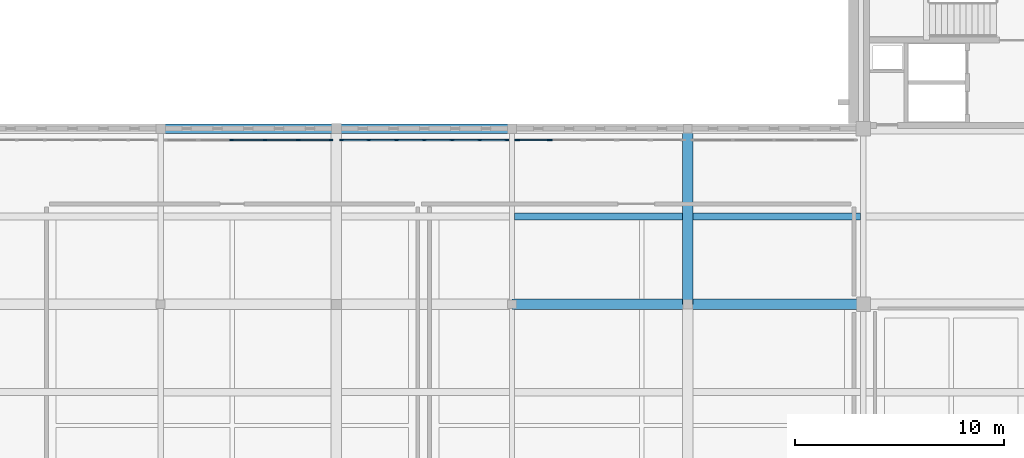
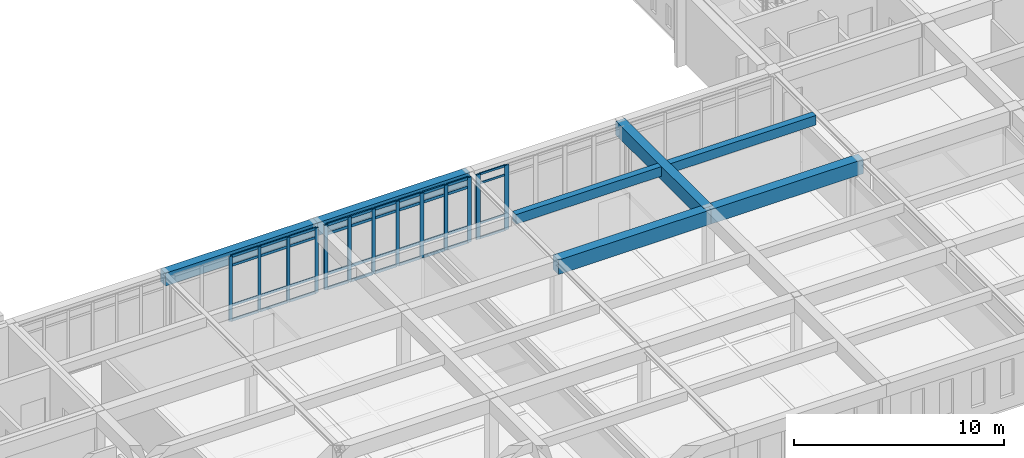
# One storey, part 18 of 110: 53 members, 7 beams, 3 elements without a shape of their own.
"""IFC4 building model written with IfcOpenShell, lengths in metres."""

from ifc_helpers import new_model, si_unit, direction, frame, origin, origin_2d, place, context, subcontext, project, spatial, rectangle, extrude, material, layer, layer_set, material_profile, profile_set, type_object, element, aggregate, save


model = new_model("IFC4")

# Units and contexts
model_context = context("Model", 3, precision=1e-05, world=origin(), true_north=direction((0.0, 1.0)))
body_context = subcontext(model_context, "Body", "Model", "MODEL_VIEW")
ifc_project = project(units=[si_unit("LENGTHUNIT", "METRE"), si_unit("AREAUNIT", "SQUARE_METRE"), si_unit("VOLUMEUNIT", "CUBIC_METRE"), si_unit("PLANEANGLEUNIT", "RADIAN"), si_unit("MASSUNIT", "GRAM", prefix="KILO")], contexts=[model_context])

# Site, building, storey
site_placement = place(None, origin())
site = spatial("IfcSite", under=ifc_project, at=site_placement, CompositionType="ELEMENT")
building_placement = place(site_placement, origin())
building = spatial("IfcBuilding", under=site, at=building_placement, Name="Kveldsbrygga Polytechnic", CompositionType="ELEMENT")
storey_placement = place(building_placement, frame((0.0, 0.0, 9.860107421875)))
storey = spatial("IfcBuildingStorey", under=building, at=storey_placement, Name="L02", CompositionType="ELEMENT", Elevation=9.860107421875)

# Beams
ifc_material_1 = material(Name="Concrete C35/45", Category="concrete")
ifc_material_profile_1 = material_profile(ifc_material_1, rectangle(XDim=0.449951171875, YDim=0.75, at=origin_2d()), Name="RC 450x750")
ifc_profile_set_1 = profile_set([ifc_material_profile_1], Name="Concrete C35/45")
beam_type_1 = type_object("IfcBeamType", Name="BM-RC-450x750", PredefinedType="BEAM", material=ifc_profile_set_1)
beam_1_placement = place(storey_placement, frame((92.39990234375, 25.199951171875, 3.385009765625), z_axis=(1.0, 0.0, 0.0), x_axis=(0.0, 1.0, 0.0)))
element("IfcBeam", 1, at=beam_1_placement, inside=storey, type_object=beam_type_1, Name="Primary Beam BMX-L02-11to12-03", PredefinedType="BEAM", context=body_context, shape_type="SweptSolid", body=[
    extrude(rectangle(XDim=0.449951171875, YDim=0.75, at=origin_2d()), origin(), (0.0, 0.0, 1.0), 8.400146484375),
])
beam_2_placement = place(storey_placement, frame((100.800048828125, 25.199951171875, 3.385009765625), z_axis=(1.0, 0.0, 0.0), x_axis=(0.0, 1.0, 0.0)))
element("IfcBeam", 2, at=beam_2_placement, inside=storey, type_object=beam_type_1, Name="Primary Beam BMX-L02-12to13-03", PredefinedType="BEAM", context=body_context, shape_type="SweptSolid", body=[
    extrude(rectangle(XDim=0.449951171875, YDim=0.75, at=origin_2d()), origin(), (0.0, 0.0, 1.0), 8.39990234375),
])
ifc_material_profile_2 = material_profile(ifc_material_1, rectangle(XDim=0.5, YDim=0.800048828125, at=origin_2d()), Name="RC 500x800")
ifc_profile_set_2 = profile_set([ifc_material_profile_2], Name="Concrete C35/45")
beam_type_2 = type_object("IfcBeamType", Name="BM-RC-500x800", PredefinedType="BEAM", material=ifc_profile_set_2)
beam_3_placement = place(storey_placement, frame((117.60009765625, 16.800048828125, 3.35986328125), z_axis=(0.0, 1.0, 0.0), x_axis=(-1.0, 0.0, 0.0)))
element("IfcBeam", 3, at=beam_3_placement, inside=storey, type_object=beam_type_2, Name="Primary Beam BMY-L02-14-02to03", PredefinedType="BEAM", context=body_context, shape_type="SweptSolid", body=[
    extrude(rectangle(XDim=0.5, YDim=0.800048828125, at=origin_2d()), origin(), (0.0, 0.0, 1.0), 8.39990234375),
])
ifc_material_profile_3 = material_profile(ifc_material_1, rectangle(XDim=0.52001953125, YDim=0.840087890625, at=origin_2d()), Name="RC 520x840")
ifc_profile_set_3 = profile_set([ifc_material_profile_3], Name="Concrete C35/45")
beam_type_3 = type_object("IfcBeamType", Name="BM-RC-520x840", PredefinedType="BEAM", material=ifc_profile_set_3)
beam_4_placement = place(storey_placement, frame((109.199951171875, 16.800048828125, 3.33984375), z_axis=(1.0, 0.0, 0.0), x_axis=(0.0, 1.0, 0.0)))
element("IfcBeam", 4, at=beam_4_placement, inside=storey, type_object=beam_type_3, Name="Primary Beam BMX-L02-13to14-02", PredefinedType="BEAM", context=body_context, shape_type="SweptSolid", body=[
    extrude(rectangle(XDim=0.52001953125, YDim=0.840087890625, at=origin_2d()), origin(), (0.0, 0.0, 1.0), 8.400146484375),
])
beam_5_placement = place(storey_placement, frame((117.60009765625, 16.800048828125, 3.33984375), z_axis=(1.0, 0.0, 0.0), x_axis=(0.0, 1.0, 0.0)))
element("IfcBeam", 5, at=beam_5_placement, inside=storey, type_object=beam_type_3, Name="Primary Beam BMX-L02-14to15-02", PredefinedType="BEAM", context=body_context, shape_type="SweptSolid", body=[
    extrude(rectangle(XDim=0.52001953125, YDim=0.840087890625, at=origin_2d()), origin(), (0.0, 0.0, 1.0), 8.39990234375),
])

# Curtain wall, members
ifc_material_2 = material(Name="Anodised aluminium AW-6060", Category="aluminium")
ifc_layer_1 = layer(ifc_material_2, 0.199951171875)
ifc_layer_set_1 = layer_set([ifc_layer_1], Name="Anodised aluminium AW-6060")
curtain_wall_type_1 = type_object("IfcCurtainWallType", Name="CW-CONC-B", PredefinedType="USERDEFINED", material=ifc_layer_set_1)
curtain_wall_1_placement = place(storey_placement, origin())
curtain_wall_1 = element("IfcCurtainWall", 6, at=curtain_wall_1_placement, inside=storey, type_object=curtain_wall_type_1, Name="Curtain Wall CW-L02-X-11-03", ObjectType="UNITISED CURTAIN WALL", PredefinedType="USERDEFINED")
ifc_material_profile_4 = material_profile(ifc_material_2, rectangle(XDim=0.06005859375, YDim=0.179931640625, at=origin_2d()), Name="ALU 60x180")
ifc_profile_set_4 = profile_set([ifc_material_profile_4], Name="Anodised aluminium AW-6060")
member_type_1 = type_object("IfcMemberType", Name="CW-MUL-180", PredefinedType="MULLION", material=ifc_profile_set_4)
member_1_placement = place(storey_placement, frame((95.7958984375, 24.64990234375, 0.0), z_axis=(0.0, 0.0, 1.0), x_axis=(0.0, 1.0, 0.0)))
member_1 = element("IfcMember", 7, at=member_1_placement, type_object=member_type_1, Name="CW-02 mullion 3", PredefinedType="MULLION", context=body_context, shape_type="SweptSolid", body=[
    extrude(rectangle(XDim=0.06005859375, YDim=0.179931640625, at=origin_2d()), origin(), (0.0, 0.0, 1.0), 3.77978515625),
])
member_2_placement = place(storey_placement, frame((97.388916015625, 24.64990234375, 0.0), z_axis=(0.0, 0.0, 1.0), x_axis=(0.0, 1.0, 0.0)))
member_2 = element("IfcMember", 8, at=member_2_placement, type_object=member_type_1, Name="CW-02 mullion 4", PredefinedType="MULLION", context=body_context, shape_type="SweptSolid", body=[
    extrude(rectangle(XDim=0.06005859375, YDim=0.179931640625, at=origin_2d()), origin(), (0.0, 0.0, 1.0), 3.77978515625),
])
member_3_placement = place(storey_placement, frame((98.98193359375, 24.64990234375, 0.0), z_axis=(0.0, 0.0, 1.0), x_axis=(0.0, 1.0, 0.0)))
member_3 = element("IfcMember", 9, at=member_3_placement, type_object=member_type_1, Name="CW-02 mullion 5", PredefinedType="MULLION", context=body_context, shape_type="SweptSolid", body=[
    extrude(rectangle(XDim=0.06005859375, YDim=0.179931640625, at=origin_2d()), origin(), (0.0, 0.0, 1.0), 3.77978515625),
])
member_4_placement = place(storey_placement, frame((100.544921875, 24.64990234375, 0.0), z_axis=(0.0, 0.0, 1.0), x_axis=(0.0, 1.0, 0.0)))
member_4 = element("IfcMember", 10, at=member_4_placement, type_object=member_type_1, Name="CW-02 mullion 6", PredefinedType="MULLION", context=body_context, shape_type="SweptSolid", body=[
    extrude(rectangle(XDim=0.06005859375, YDim=0.179931640625, at=origin_2d()), origin(), (0.0, 0.0, 1.0), 3.77978515625),
])

ifc_layer_2 = layer(ifc_material_2, 0.159912109375)
ifc_layer_set_2 = layer_set([ifc_layer_2], Name="Anodised aluminium AW-6060")
curtain_wall_type_2 = type_object("IfcCurtainWallType", Name="CW-CLER-C", PredefinedType="USERDEFINED", material=ifc_layer_set_2)
curtain_wall_2_placement = place(storey_placement, origin())
curtain_wall_2 = element("IfcCurtainWall", 11, at=curtain_wall_2_placement, inside=storey, type_object=curtain_wall_type_2, Name="Curtain Wall CW-L02-X-12-03", ObjectType="STICK CURTAIN WALL", PredefinedType="USERDEFINED")
ifc_material_profile_5 = material_profile(ifc_material_2, rectangle(XDim=0.074951171875, YDim=0.199951171875, at=origin_2d()), Name="ALU 75x200")
ifc_profile_set_5 = profile_set([ifc_material_profile_5], Name="Anodised aluminium AW-6060")
member_type_2 = type_object("IfcMemberType", Name="CW-MUL-200", PredefinedType="MULLION", material=ifc_profile_set_5)
member_5_placement = place(storey_placement, frame((101.0625, 24.64990234375, 0.0), z_axis=(0.0, 0.0, 1.0), x_axis=(0.0, 1.0, 0.0)))
member_5 = element("IfcMember", 12, at=member_5_placement, type_object=member_type_2, Name="CW-03 mullion 1", PredefinedType="MULLION", context=body_context, shape_type="SweptSolid", body=[
    extrude(rectangle(XDim=0.074951171875, YDim=0.199951171875, at=origin_2d()), origin(), (0.0, 0.0, 1.0), 3.77978515625),
])
member_6_placement = place(storey_placement, frame((102.3525390625, 24.64990234375, 0.0), z_axis=(0.0, 0.0, 1.0), x_axis=(0.0, 1.0, 0.0)))
member_6 = element("IfcMember", 13, at=member_6_placement, type_object=member_type_2, Name="CW-03 mullion 2", PredefinedType="MULLION", context=body_context, shape_type="SweptSolid", body=[
    extrude(rectangle(XDim=0.074951171875, YDim=0.199951171875, at=origin_2d()), origin(), (0.0, 0.0, 1.0), 3.77978515625),
])
member_7_placement = place(storey_placement, frame((103.679931640625, 24.64990234375, 0.0), z_axis=(0.0, 0.0, 1.0), x_axis=(0.0, 1.0, 0.0)))
member_7 = element("IfcMember", 14, at=member_7_placement, type_object=member_type_2, Name="CW-03 mullion 3", PredefinedType="MULLION", context=body_context, shape_type="SweptSolid", body=[
    extrude(rectangle(XDim=0.074951171875, YDim=0.199951171875, at=origin_2d()), origin(), (0.0, 0.0, 1.0), 3.77978515625),
])
member_8_placement = place(storey_placement, frame((105.007568359375, 24.64990234375, 0.0), z_axis=(0.0, 0.0, 1.0), x_axis=(0.0, 1.0, 0.0)))
member_8 = element("IfcMember", 15, at=member_8_placement, type_object=member_type_2, Name="CW-03 mullion 4", PredefinedType="MULLION", context=body_context, shape_type="SweptSolid", body=[
    extrude(rectangle(XDim=0.074951171875, YDim=0.199951171875, at=origin_2d()), origin(), (0.0, 0.0, 1.0), 3.77978515625),
])
member_9_placement = place(storey_placement, frame((106.3349609375, 24.64990234375, 0.0), z_axis=(0.0, 0.0, 1.0), x_axis=(0.0, 1.0, 0.0)))
member_9 = element("IfcMember", 16, at=member_9_placement, type_object=member_type_2, Name="CW-03 mullion 5", PredefinedType="MULLION", context=body_context, shape_type="SweptSolid", body=[
    extrude(rectangle(XDim=0.074951171875, YDim=0.199951171875, at=origin_2d()), origin(), (0.0, 0.0, 1.0), 3.77978515625),
])
member_10_placement = place(storey_placement, frame((107.66259765625, 24.64990234375, 0.0), z_axis=(0.0, 0.0, 1.0), x_axis=(0.0, 1.0, 0.0)))
member_10 = element("IfcMember", 17, at=member_10_placement, type_object=member_type_2, Name="CW-03 mullion 6", PredefinedType="MULLION", context=body_context, shape_type="SweptSolid", body=[
    extrude(rectangle(XDim=0.074951171875, YDim=0.199951171875, at=origin_2d()), origin(), (0.0, 0.0, 1.0), 3.77978515625),
])
member_11_placement = place(storey_placement, frame((108.952392578125, 24.64990234375, 0.0), z_axis=(0.0, 0.0, 1.0), x_axis=(0.0, 1.0, 0.0)))
member_11 = element("IfcMember", 18, at=member_11_placement, type_object=member_type_2, Name="CW-03 mullion 7", PredefinedType="MULLION", context=body_context, shape_type="SweptSolid", body=[
    extrude(rectangle(XDim=0.074951171875, YDim=0.199951171875, at=origin_2d()), origin(), (0.0, 0.0, 1.0), 3.77978515625),
])

ifc_layer_3 = layer(ifc_material_2, 0.179931640625)
ifc_layer_set_3 = layer_set([ifc_layer_3], Name="Anodised aluminium AW-6060")
curtain_wall_type_3 = type_object("IfcCurtainWallType", Name="CW-LANC-D", PredefinedType="USERDEFINED", material=ifc_layer_set_3)
curtain_wall_3_placement = place(storey_placement, origin())
curtain_wall_3 = element("IfcCurtainWall", 19, at=curtain_wall_3_placement, inside=storey, type_object=curtain_wall_type_3, Name="Curtain Wall CW-L02-X-13-03", ObjectType="UNITISED CURTAIN WALL", PredefinedType="USERDEFINED")
ifc_material_profile_6 = material_profile(ifc_material_2, rectangle(XDim=0.074951171875, YDim=0.239990234375, at=origin_2d()), Name="ALU 75x240")
ifc_profile_set_6 = profile_set([ifc_material_profile_6], Name="Anodised aluminium AW-6060")
member_type_3 = type_object("IfcMemberType", Name="CW-MUL-240", PredefinedType="MULLION", material=ifc_profile_set_6)
member_12_placement = place(storey_placement, frame((109.447509765625, 24.64990234375, 0.0), z_axis=(0.0, 0.0, 1.0), x_axis=(0.0, 1.0, 0.0)))
member_12 = element("IfcMember", 20, at=member_12_placement, type_object=member_type_3, Name="CW-04 mullion 1", PredefinedType="MULLION", context=body_context, shape_type="SweptSolid", body=[
    extrude(rectangle(XDim=0.074951171875, YDim=0.239990234375, at=origin_2d()), origin(), (0.0, 0.0, 1.0), 3.77978515625),
])
member_13_placement = place(storey_placement, frame((111.010986328125, 24.64990234375, 0.0), z_axis=(0.0, 0.0, 1.0), x_axis=(0.0, 1.0, 0.0)))
member_13 = element("IfcMember", 21, at=member_13_placement, type_object=member_type_3, Name="CW-04 mullion 2", PredefinedType="MULLION", context=body_context, shape_type="SweptSolid", body=[
    extrude(rectangle(XDim=0.074951171875, YDim=0.239990234375, at=origin_2d()), origin(), (0.0, 0.0, 1.0), 3.77978515625),
])
ifc_material_profile_7 = material_profile(ifc_material_2, rectangle(XDim=0.06005859375, YDim=0.1201171875, at=origin_2d()), Name="ALU 60x120")
ifc_profile_set_7 = profile_set([ifc_material_profile_7], Name="Anodised aluminium AW-6060")
member_type_4 = type_object("IfcMemberType", Name="CW-TRN-120", PredefinedType="USERDEFINED", material=ifc_profile_set_7)
member_14_placement = place(storey_placement, frame((109.485107421875, 24.64990234375, 0.02978515625), z_axis=(1.0, 0.0, 0.0), x_axis=(0.0, 1.0, 0.0)))
member_14 = element("IfcMember", 22, at=member_14_placement, type_object=member_type_4, Name="CW-04 transom 1.1", ObjectType="TRANSOM", PredefinedType="USERDEFINED", context=body_context, shape_type="SweptSolid", body=[
    extrude(rectangle(XDim=0.06005859375, YDim=0.1201171875, at=origin_2d()), origin(), (0.0, 0.0, 1.0), 1.48828125),
])
member_15_placement = place(storey_placement, frame((109.485107421875, 24.64990234375, 0.89990234375), z_axis=(1.0, 0.0, 0.0), x_axis=(0.0, 1.0, 0.0)))
member_15 = element("IfcMember", 23, at=member_15_placement, type_object=member_type_4, Name="CW-04 transom 1.2", ObjectType="TRANSOM", PredefinedType="USERDEFINED", context=body_context, shape_type="SweptSolid", body=[
    extrude(rectangle(XDim=0.06005859375, YDim=0.1201171875, at=origin_2d()), origin(), (0.0, 0.0, 1.0), 1.48828125),
])
member_16_placement = place(storey_placement, frame((109.485107421875, 24.64990234375, 3.22998046875), z_axis=(1.0, 0.0, 0.0), x_axis=(0.0, 1.0, 0.0)))
member_16 = element("IfcMember", 24, at=member_16_placement, type_object=member_type_4, Name="CW-04 transom 1.3", ObjectType="TRANSOM", PredefinedType="USERDEFINED", context=body_context, shape_type="SweptSolid", body=[
    extrude(rectangle(XDim=0.06005859375, YDim=0.1201171875, at=origin_2d()), origin(), (0.0, 0.0, 1.0), 1.48828125),
])
member_17_placement = place(storey_placement, frame((109.485107421875, 24.64990234375, 3.75), z_axis=(1.0, 0.0, 0.0), x_axis=(0.0, 1.0, 0.0)))
member_17 = element("IfcMember", 25, at=member_17_placement, type_object=member_type_4, Name="CW-04 transom 1.4", ObjectType="TRANSOM", PredefinedType="USERDEFINED", context=body_context, shape_type="SweptSolid", body=[
    extrude(rectangle(XDim=0.06005859375, YDim=0.1201171875, at=origin_2d()), origin(), (0.0, 0.0, 1.0), 1.48828125),
])
aggregate(curtain_wall_3, [member_12, member_13, member_14, member_15, member_16, member_17])

# Member
ifc_material_profile_8 = material_profile(ifc_material_2, rectangle(XDim=0.06005859375, YDim=0.14990234375, at=origin_2d()), Name="ALU 60x150")
ifc_profile_set_8 = profile_set([ifc_material_profile_8], Name="Anodised aluminium AW-6060")
member_type_5 = type_object("IfcMemberType", Name="CW-TRN-150", PredefinedType="USERDEFINED", material=ifc_profile_set_8)
member_18_placement = place(storey_placement, frame((95.825927734375, 24.64990234375, 0.02978515625), z_axis=(1.0, 0.0, 0.0), x_axis=(0.0, 1.0, 0.0)))
member_18 = element("IfcMember", 26, at=member_18_placement, type_object=member_type_5, Name="CW-02 transom 3.1", ObjectType="TRANSOM", PredefinedType="USERDEFINED", context=body_context, shape_type="SweptSolid", body=[
    extrude(rectangle(XDim=0.06005859375, YDim=0.14990234375, at=origin_2d()), origin(), (0.0, 0.0, 1.0), 1.532958984375),
])

member_19_placement = place(storey_placement, frame((95.825927734375, 24.64990234375, 0.89990234375), z_axis=(1.0, 0.0, 0.0), x_axis=(0.0, 1.0, 0.0)))
member_19 = element("IfcMember", 27, at=member_19_placement, type_object=member_type_5, Name="CW-02 transom 3.2", ObjectType="TRANSOM", PredefinedType="USERDEFINED", context=body_context, shape_type="SweptSolid", body=[
    extrude(rectangle(XDim=0.06005859375, YDim=0.14990234375, at=origin_2d()), origin(), (0.0, 0.0, 1.0), 1.532958984375),
])

member_20_placement = place(storey_placement, frame((95.825927734375, 24.64990234375, 3.22998046875), z_axis=(1.0, 0.0, 0.0), x_axis=(0.0, 1.0, 0.0)))
member_20 = element("IfcMember", 28, at=member_20_placement, type_object=member_type_5, Name="CW-02 transom 3.3", ObjectType="TRANSOM", PredefinedType="USERDEFINED", context=body_context, shape_type="SweptSolid", body=[
    extrude(rectangle(XDim=0.06005859375, YDim=0.14990234375, at=origin_2d()), origin(), (0.0, 0.0, 1.0), 1.532958984375),
])

member_21_placement = place(storey_placement, frame((95.825927734375, 24.64990234375, 3.75), z_axis=(1.0, 0.0, 0.0), x_axis=(0.0, 1.0, 0.0)))
member_21 = element("IfcMember", 29, at=member_21_placement, type_object=member_type_5, Name="CW-02 transom 3.4", ObjectType="TRANSOM", PredefinedType="USERDEFINED", context=body_context, shape_type="SweptSolid", body=[
    extrude(rectangle(XDim=0.06005859375, YDim=0.14990234375, at=origin_2d()), origin(), (0.0, 0.0, 1.0), 1.532958984375),
])

member_22_placement = place(storey_placement, frame((97.4189453125, 24.64990234375, 0.02978515625), z_axis=(1.0, 0.0, 0.0), x_axis=(0.0, 1.0, 0.0)))
member_22 = element("IfcMember", 30, at=member_22_placement, type_object=member_type_5, Name="CW-02 transom 4.1", ObjectType="TRANSOM", PredefinedType="USERDEFINED", context=body_context, shape_type="SweptSolid", body=[
    extrude(rectangle(XDim=0.06005859375, YDim=0.14990234375, at=origin_2d()), origin(), (0.0, 0.0, 1.0), 1.532958984375),
])

member_23_placement = place(storey_placement, frame((97.4189453125, 24.64990234375, 0.89990234375), z_axis=(1.0, 0.0, 0.0), x_axis=(0.0, 1.0, 0.0)))
member_23 = element("IfcMember", 31, at=member_23_placement, type_object=member_type_5, Name="CW-02 transom 4.2", ObjectType="TRANSOM", PredefinedType="USERDEFINED", context=body_context, shape_type="SweptSolid", body=[
    extrude(rectangle(XDim=0.06005859375, YDim=0.14990234375, at=origin_2d()), origin(), (0.0, 0.0, 1.0), 1.532958984375),
])

member_24_placement = place(storey_placement, frame((97.4189453125, 24.64990234375, 3.22998046875), z_axis=(1.0, 0.0, 0.0), x_axis=(0.0, 1.0, 0.0)))
member_24 = element("IfcMember", 32, at=member_24_placement, type_object=member_type_5, Name="CW-02 transom 4.3", ObjectType="TRANSOM", PredefinedType="USERDEFINED", context=body_context, shape_type="SweptSolid", body=[
    extrude(rectangle(XDim=0.06005859375, YDim=0.14990234375, at=origin_2d()), origin(), (0.0, 0.0, 1.0), 1.532958984375),
])

member_25_placement = place(storey_placement, frame((97.4189453125, 24.64990234375, 3.75), z_axis=(1.0, 0.0, 0.0), x_axis=(0.0, 1.0, 0.0)))
member_25 = element("IfcMember", 33, at=member_25_placement, type_object=member_type_5, Name="CW-02 transom 4.4", ObjectType="TRANSOM", PredefinedType="USERDEFINED", context=body_context, shape_type="SweptSolid", body=[
    extrude(rectangle(XDim=0.06005859375, YDim=0.14990234375, at=origin_2d()), origin(), (0.0, 0.0, 1.0), 1.532958984375),
])

member_26_placement = place(storey_placement, frame((99.011962890625, 24.64990234375, 0.02978515625), z_axis=(1.0, 0.0, 0.0), x_axis=(0.0, 1.0, 0.0)))
member_26 = element("IfcMember", 34, at=member_26_placement, type_object=member_type_5, Name="CW-02 transom 5.1", ObjectType="TRANSOM", PredefinedType="USERDEFINED", context=body_context, shape_type="SweptSolid", body=[
    extrude(rectangle(XDim=0.06005859375, YDim=0.14990234375, at=origin_2d()), origin(), (0.0, 0.0, 1.0), 1.5029296875),
])

member_27_placement = place(storey_placement, frame((99.011962890625, 24.64990234375, 0.89990234375), z_axis=(1.0, 0.0, 0.0), x_axis=(0.0, 1.0, 0.0)))
member_27 = element("IfcMember", 35, at=member_27_placement, type_object=member_type_5, Name="CW-02 transom 5.2", ObjectType="TRANSOM", PredefinedType="USERDEFINED", context=body_context, shape_type="SweptSolid", body=[
    extrude(rectangle(XDim=0.06005859375, YDim=0.14990234375, at=origin_2d()), origin(), (0.0, 0.0, 1.0), 1.5029296875),
])

member_28_placement = place(storey_placement, frame((99.011962890625, 24.64990234375, 3.22998046875), z_axis=(1.0, 0.0, 0.0), x_axis=(0.0, 1.0, 0.0)))
member_28 = element("IfcMember", 36, at=member_28_placement, type_object=member_type_5, Name="CW-02 transom 5.3", ObjectType="TRANSOM", PredefinedType="USERDEFINED", context=body_context, shape_type="SweptSolid", body=[
    extrude(rectangle(XDim=0.06005859375, YDim=0.14990234375, at=origin_2d()), origin(), (0.0, 0.0, 1.0), 1.5029296875),
])

member_29_placement = place(storey_placement, frame((99.011962890625, 24.64990234375, 3.75), z_axis=(1.0, 0.0, 0.0), x_axis=(0.0, 1.0, 0.0)))
member_29 = element("IfcMember", 37, at=member_29_placement, type_object=member_type_5, Name="CW-02 transom 5.4", ObjectType="TRANSOM", PredefinedType="USERDEFINED", context=body_context, shape_type="SweptSolid", body=[
    extrude(rectangle(XDim=0.06005859375, YDim=0.14990234375, at=origin_2d()), origin(), (0.0, 0.0, 1.0), 1.5029296875),
])

aggregate(curtain_wall_1, [member_1, member_2, member_3, member_4, member_18, member_19, member_20, member_21, member_22, member_23, member_24, member_25, member_26, member_27, member_28, member_29])

ifc_material_profile_9 = material_profile(ifc_material_2, rectangle(XDim=0.074951171875, YDim=0.159912109375, at=origin_2d()), Name="ALU 75x160")
ifc_profile_set_9 = profile_set([ifc_material_profile_9], Name="Anodised aluminium AW-6060")
member_type_6 = type_object("IfcMemberType", Name="CW-TRN-160", PredefinedType="USERDEFINED", material=ifc_profile_set_9)
member_30_placement = place(storey_placement, frame((101.10009765625, 24.64990234375, 0.037353515625), z_axis=(1.0, 0.0, 0.0), x_axis=(0.0, 1.0, 0.0)))
member_30 = element("IfcMember", 38, at=member_30_placement, type_object=member_type_6, Name="CW-03 transom 1.1", ObjectType="TRANSOM", PredefinedType="USERDEFINED", context=body_context, shape_type="SweptSolid", body=[
    extrude(rectangle(XDim=0.074951171875, YDim=0.159912109375, at=origin_2d()), origin(), (0.0, 0.0, 1.0), 1.21484375),
])

member_31_placement = place(storey_placement, frame((101.10009765625, 24.64990234375, 0.89990234375), z_axis=(1.0, 0.0, 0.0), x_axis=(0.0, 1.0, 0.0)))
member_31 = element("IfcMember", 39, at=member_31_placement, type_object=member_type_6, Name="CW-03 transom 1.2", ObjectType="TRANSOM", PredefinedType="USERDEFINED", context=body_context, shape_type="SweptSolid", body=[
    extrude(rectangle(XDim=0.074951171875, YDim=0.159912109375, at=origin_2d()), origin(), (0.0, 0.0, 1.0), 1.21484375),
])

member_32_placement = place(storey_placement, frame((101.10009765625, 24.64990234375, 3.22998046875), z_axis=(1.0, 0.0, 0.0), x_axis=(0.0, 1.0, 0.0)))
member_32 = element("IfcMember", 40, at=member_32_placement, type_object=member_type_6, Name="CW-03 transom 1.3", ObjectType="TRANSOM", PredefinedType="USERDEFINED", context=body_context, shape_type="SweptSolid", body=[
    extrude(rectangle(XDim=0.074951171875, YDim=0.159912109375, at=origin_2d()), origin(), (0.0, 0.0, 1.0), 1.21484375),
])

member_33_placement = place(storey_placement, frame((101.10009765625, 24.64990234375, 3.742431640625), z_axis=(1.0, 0.0, 0.0), x_axis=(0.0, 1.0, 0.0)))
member_33 = element("IfcMember", 41, at=member_33_placement, type_object=member_type_6, Name="CW-03 transom 1.4", ObjectType="TRANSOM", PredefinedType="USERDEFINED", context=body_context, shape_type="SweptSolid", body=[
    extrude(rectangle(XDim=0.074951171875, YDim=0.159912109375, at=origin_2d()), origin(), (0.0, 0.0, 1.0), 1.21484375),
])

member_34_placement = place(storey_placement, frame((102.389892578125, 24.64990234375, 0.037353515625), z_axis=(1.0, 0.0, 0.0), x_axis=(0.0, 1.0, 0.0)))
member_34 = element("IfcMember", 42, at=member_34_placement, type_object=member_type_6, Name="CW-03 transom 2.1", ObjectType="TRANSOM", PredefinedType="USERDEFINED", context=body_context, shape_type="SweptSolid", body=[
    extrude(rectangle(XDim=0.074951171875, YDim=0.159912109375, at=origin_2d()), origin(), (0.0, 0.0, 1.0), 1.252685546875),
])

member_35_placement = place(storey_placement, frame((102.389892578125, 24.64990234375, 0.89990234375), z_axis=(1.0, 0.0, 0.0), x_axis=(0.0, 1.0, 0.0)))
member_35 = element("IfcMember", 43, at=member_35_placement, type_object=member_type_6, Name="CW-03 transom 2.2", ObjectType="TRANSOM", PredefinedType="USERDEFINED", context=body_context, shape_type="SweptSolid", body=[
    extrude(rectangle(XDim=0.074951171875, YDim=0.159912109375, at=origin_2d()), origin(), (0.0, 0.0, 1.0), 1.252685546875),
])

member_36_placement = place(storey_placement, frame((102.389892578125, 24.64990234375, 3.22998046875), z_axis=(1.0, 0.0, 0.0), x_axis=(0.0, 1.0, 0.0)))
member_36 = element("IfcMember", 44, at=member_36_placement, type_object=member_type_6, Name="CW-03 transom 2.3", ObjectType="TRANSOM", PredefinedType="USERDEFINED", context=body_context, shape_type="SweptSolid", body=[
    extrude(rectangle(XDim=0.074951171875, YDim=0.159912109375, at=origin_2d()), origin(), (0.0, 0.0, 1.0), 1.252685546875),
])

member_37_placement = place(storey_placement, frame((102.389892578125, 24.64990234375, 3.742431640625), z_axis=(1.0, 0.0, 0.0), x_axis=(0.0, 1.0, 0.0)))
member_37 = element("IfcMember", 45, at=member_37_placement, type_object=member_type_6, Name="CW-03 transom 2.4", ObjectType="TRANSOM", PredefinedType="USERDEFINED", context=body_context, shape_type="SweptSolid", body=[
    extrude(rectangle(XDim=0.074951171875, YDim=0.159912109375, at=origin_2d()), origin(), (0.0, 0.0, 1.0), 1.252685546875),
])

member_38_placement = place(storey_placement, frame((103.717529296875, 24.64990234375, 0.037353515625), z_axis=(1.0, 0.0, 0.0), x_axis=(0.0, 1.0, 0.0)))
member_38 = element("IfcMember", 46, at=member_38_placement, type_object=member_type_6, Name="CW-03 transom 3.1", ObjectType="TRANSOM", PredefinedType="USERDEFINED", context=body_context, shape_type="SweptSolid", body=[
    extrude(rectangle(XDim=0.074951171875, YDim=0.159912109375, at=origin_2d()), origin(), (0.0, 0.0, 1.0), 1.25244140625),
])

member_39_placement = place(storey_placement, frame((103.717529296875, 24.64990234375, 0.89990234375), z_axis=(1.0, 0.0, 0.0), x_axis=(0.0, 1.0, 0.0)))
member_39 = element("IfcMember", 47, at=member_39_placement, type_object=member_type_6, Name="CW-03 transom 3.2", ObjectType="TRANSOM", PredefinedType="USERDEFINED", context=body_context, shape_type="SweptSolid", body=[
    extrude(rectangle(XDim=0.074951171875, YDim=0.159912109375, at=origin_2d()), origin(), (0.0, 0.0, 1.0), 1.25244140625),
])

member_40_placement = place(storey_placement, frame((103.717529296875, 24.64990234375, 3.22998046875), z_axis=(1.0, 0.0, 0.0), x_axis=(0.0, 1.0, 0.0)))
member_40 = element("IfcMember", 48, at=member_40_placement, type_object=member_type_6, Name="CW-03 transom 3.3", ObjectType="TRANSOM", PredefinedType="USERDEFINED", context=body_context, shape_type="SweptSolid", body=[
    extrude(rectangle(XDim=0.074951171875, YDim=0.159912109375, at=origin_2d()), origin(), (0.0, 0.0, 1.0), 1.25244140625),
])

member_41_placement = place(storey_placement, frame((103.717529296875, 24.64990234375, 3.742431640625), z_axis=(1.0, 0.0, 0.0), x_axis=(0.0, 1.0, 0.0)))
member_41 = element("IfcMember", 49, at=member_41_placement, type_object=member_type_6, Name="CW-03 transom 3.4", ObjectType="TRANSOM", PredefinedType="USERDEFINED", context=body_context, shape_type="SweptSolid", body=[
    extrude(rectangle(XDim=0.074951171875, YDim=0.159912109375, at=origin_2d()), origin(), (0.0, 0.0, 1.0), 1.25244140625),
])

member_42_placement = place(storey_placement, frame((105.044921875, 24.64990234375, 0.037353515625), z_axis=(1.0, 0.0, 0.0), x_axis=(0.0, 1.0, 0.0)))
member_42 = element("IfcMember", 50, at=member_42_placement, type_object=member_type_6, Name="CW-03 transom 4.1", ObjectType="TRANSOM", PredefinedType="USERDEFINED", context=body_context, shape_type="SweptSolid", body=[
    extrude(rectangle(XDim=0.074951171875, YDim=0.159912109375, at=origin_2d()), origin(), (0.0, 0.0, 1.0), 1.252685546875),
])

member_43_placement = place(storey_placement, frame((105.044921875, 24.64990234375, 0.89990234375), z_axis=(1.0, 0.0, 0.0), x_axis=(0.0, 1.0, 0.0)))
member_43 = element("IfcMember", 51, at=member_43_placement, type_object=member_type_6, Name="CW-03 transom 4.2", ObjectType="TRANSOM", PredefinedType="USERDEFINED", context=body_context, shape_type="SweptSolid", body=[
    extrude(rectangle(XDim=0.074951171875, YDim=0.159912109375, at=origin_2d()), origin(), (0.0, 0.0, 1.0), 1.252685546875),
])

member_44_placement = place(storey_placement, frame((105.044921875, 24.64990234375, 3.22998046875), z_axis=(1.0, 0.0, 0.0), x_axis=(0.0, 1.0, 0.0)))
member_44 = element("IfcMember", 52, at=member_44_placement, type_object=member_type_6, Name="CW-03 transom 4.3", ObjectType="TRANSOM", PredefinedType="USERDEFINED", context=body_context, shape_type="SweptSolid", body=[
    extrude(rectangle(XDim=0.074951171875, YDim=0.159912109375, at=origin_2d()), origin(), (0.0, 0.0, 1.0), 1.252685546875),
])

member_45_placement = place(storey_placement, frame((105.044921875, 24.64990234375, 3.742431640625), z_axis=(1.0, 0.0, 0.0), x_axis=(0.0, 1.0, 0.0)))
member_45 = element("IfcMember", 53, at=member_45_placement, type_object=member_type_6, Name="CW-03 transom 4.4", ObjectType="TRANSOM", PredefinedType="USERDEFINED", context=body_context, shape_type="SweptSolid", body=[
    extrude(rectangle(XDim=0.074951171875, YDim=0.159912109375, at=origin_2d()), origin(), (0.0, 0.0, 1.0), 1.252685546875),
])

member_46_placement = place(storey_placement, frame((106.37255859375, 24.64990234375, 0.037353515625), z_axis=(1.0, 0.0, 0.0), x_axis=(0.0, 1.0, 0.0)))
member_46 = element("IfcMember", 54, at=member_46_placement, type_object=member_type_6, Name="CW-03 transom 5.1", ObjectType="TRANSOM", PredefinedType="USERDEFINED", context=body_context, shape_type="SweptSolid", body=[
    extrude(rectangle(XDim=0.074951171875, YDim=0.159912109375, at=origin_2d()), origin(), (0.0, 0.0, 1.0), 1.25244140625),
])

member_47_placement = place(storey_placement, frame((106.37255859375, 24.64990234375, 0.89990234375), z_axis=(1.0, 0.0, 0.0), x_axis=(0.0, 1.0, 0.0)))
member_47 = element("IfcMember", 55, at=member_47_placement, type_object=member_type_6, Name="CW-03 transom 5.2", ObjectType="TRANSOM", PredefinedType="USERDEFINED", context=body_context, shape_type="SweptSolid", body=[
    extrude(rectangle(XDim=0.074951171875, YDim=0.159912109375, at=origin_2d()), origin(), (0.0, 0.0, 1.0), 1.25244140625),
])

member_48_placement = place(storey_placement, frame((106.37255859375, 24.64990234375, 3.22998046875), z_axis=(1.0, 0.0, 0.0), x_axis=(0.0, 1.0, 0.0)))
member_48 = element("IfcMember", 56, at=member_48_placement, type_object=member_type_6, Name="CW-03 transom 5.3", ObjectType="TRANSOM", PredefinedType="USERDEFINED", context=body_context, shape_type="SweptSolid", body=[
    extrude(rectangle(XDim=0.074951171875, YDim=0.159912109375, at=origin_2d()), origin(), (0.0, 0.0, 1.0), 1.25244140625),
])

member_49_placement = place(storey_placement, frame((106.37255859375, 24.64990234375, 3.742431640625), z_axis=(1.0, 0.0, 0.0), x_axis=(0.0, 1.0, 0.0)))
member_49 = element("IfcMember", 57, at=member_49_placement, type_object=member_type_6, Name="CW-03 transom 5.4", ObjectType="TRANSOM", PredefinedType="USERDEFINED", context=body_context, shape_type="SweptSolid", body=[
    extrude(rectangle(XDim=0.074951171875, YDim=0.159912109375, at=origin_2d()), origin(), (0.0, 0.0, 1.0), 1.25244140625),
])

member_50_placement = place(storey_placement, frame((107.699951171875, 24.64990234375, 0.037353515625), z_axis=(1.0, 0.0, 0.0), x_axis=(0.0, 1.0, 0.0)))
member_50 = element("IfcMember", 58, at=member_50_placement, type_object=member_type_6, Name="CW-03 transom 6.1", ObjectType="TRANSOM", PredefinedType="USERDEFINED", context=body_context, shape_type="SweptSolid", body=[
    extrude(rectangle(XDim=0.074951171875, YDim=0.159912109375, at=origin_2d()), origin(), (0.0, 0.0, 1.0), 1.215087890625),
])

member_51_placement = place(storey_placement, frame((107.699951171875, 24.64990234375, 0.89990234375), z_axis=(1.0, 0.0, 0.0), x_axis=(0.0, 1.0, 0.0)))
member_51 = element("IfcMember", 59, at=member_51_placement, type_object=member_type_6, Name="CW-03 transom 6.2", ObjectType="TRANSOM", PredefinedType="USERDEFINED", context=body_context, shape_type="SweptSolid", body=[
    extrude(rectangle(XDim=0.074951171875, YDim=0.159912109375, at=origin_2d()), origin(), (0.0, 0.0, 1.0), 1.215087890625),
])

member_52_placement = place(storey_placement, frame((107.699951171875, 24.64990234375, 3.22998046875), z_axis=(1.0, 0.0, 0.0), x_axis=(0.0, 1.0, 0.0)))
member_52 = element("IfcMember", 60, at=member_52_placement, type_object=member_type_6, Name="CW-03 transom 6.3", ObjectType="TRANSOM", PredefinedType="USERDEFINED", context=body_context, shape_type="SweptSolid", body=[
    extrude(rectangle(XDim=0.074951171875, YDim=0.159912109375, at=origin_2d()), origin(), (0.0, 0.0, 1.0), 1.215087890625),
])

member_53_placement = place(storey_placement, frame((107.699951171875, 24.64990234375, 3.742431640625), z_axis=(1.0, 0.0, 0.0), x_axis=(0.0, 1.0, 0.0)))
member_53 = element("IfcMember", 61, at=member_53_placement, type_object=member_type_6, Name="CW-03 transom 6.4", ObjectType="TRANSOM", PredefinedType="USERDEFINED", context=body_context, shape_type="SweptSolid", body=[
    extrude(rectangle(XDim=0.074951171875, YDim=0.159912109375, at=origin_2d()), origin(), (0.0, 0.0, 1.0), 1.215087890625),
])

aggregate(curtain_wall_2, [member_5, member_6, member_7, member_8, member_9, member_10, member_11, member_30, member_31, member_32, member_33, member_34, member_35, member_36, member_37, member_38, member_39, member_40, member_41, member_42, member_43, member_44, member_45, member_46, member_47, member_48, member_49, member_50, member_51, member_52, member_53])

# Beams
ifc_material_profile_10 = material_profile(ifc_material_1, rectangle(XDim=0.340087890625, YDim=0.56005859375, at=origin_2d()), Name="RC 340x560")
ifc_profile_set_10 = profile_set([ifc_material_profile_10], Name="Concrete C35/45")
beam_type_4 = type_object("IfcBeamType", Name="JST-RC-340x560", PredefinedType="JOIST", material=ifc_profile_set_10)
beam_6_placement = place(storey_placement, frame((109.330078125, 21.0, 3.47998046875), z_axis=(1.0, 0.0, 0.0), x_axis=(0.0, 1.0, 0.0)))
element("IfcBeam", 62, at=beam_6_placement, inside=storey, type_object=beam_type_4, Name="Secondary Joist JST-L02-13-02", PredefinedType="JOIST", context=body_context, shape_type="SweptSolid", body=[
    extrude(rectangle(XDim=0.340087890625, YDim=0.56005859375, at=origin_2d()), origin(), (0.0, 0.0, 1.0), 8.02001953125),
])
ifc_material_profile_11 = material_profile(ifc_material_1, rectangle(XDim=0.35009765625, YDim=0.550048828125, at=origin_2d()), Name="RC 350x550")
ifc_profile_set_11 = profile_set([ifc_material_profile_11], Name="Concrete C35/45")
beam_type_5 = type_object("IfcBeamType", Name="JST-RC-350x550", PredefinedType="JOIST", material=ifc_profile_set_11)
beam_7_placement = place(storey_placement, frame((117.85009765625, 21.0, 3.48486328125), z_axis=(1.0, 0.0, 0.0), x_axis=(0.0, 1.0, 0.0)))
element("IfcBeam", 63, at=beam_7_placement, inside=storey, type_object=beam_type_5, Name="Secondary Joist JST-L02-14-02", PredefinedType="JOIST", context=body_context, shape_type="SweptSolid", body=[
    extrude(rectangle(XDim=0.35009765625, YDim=0.550048828125, at=origin_2d()), origin(), (0.0, 0.0, 1.0), 8.02001953125),
])

save(model, "model.ifc")
